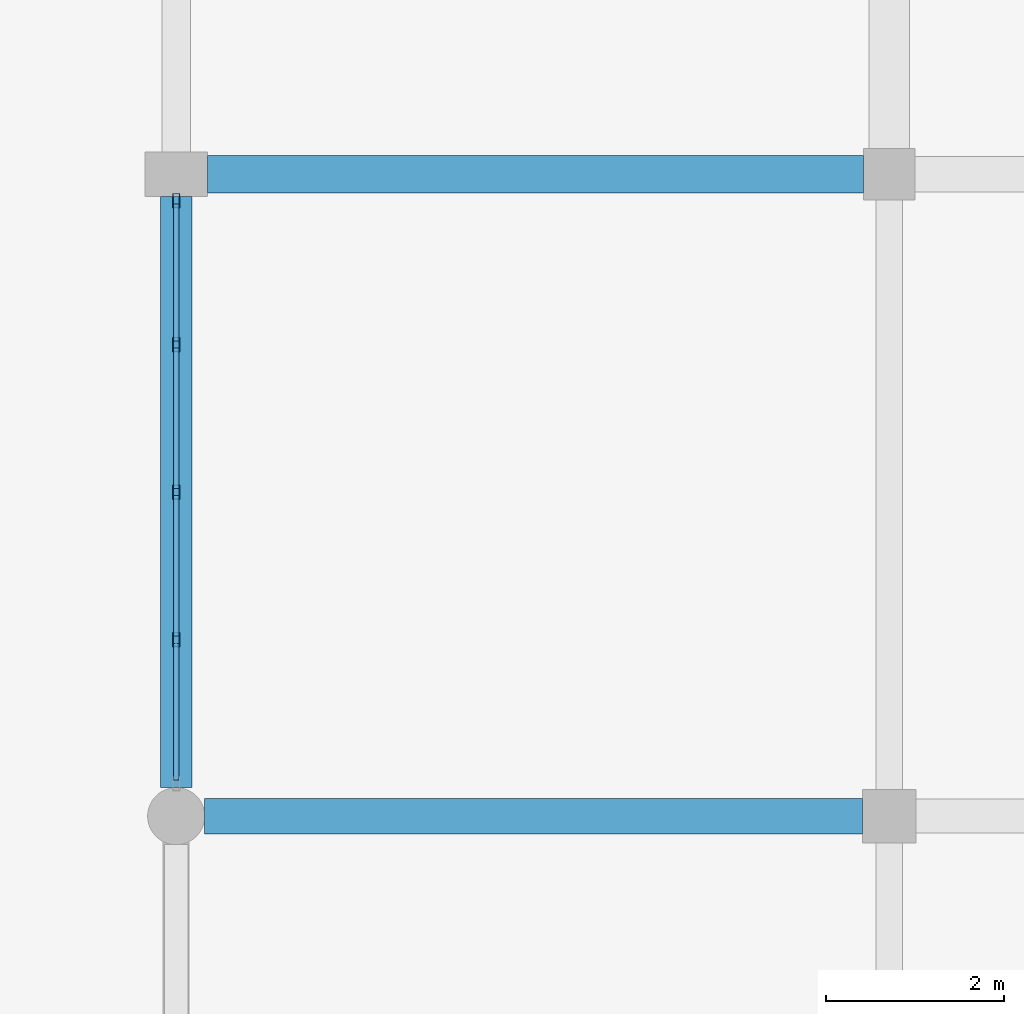
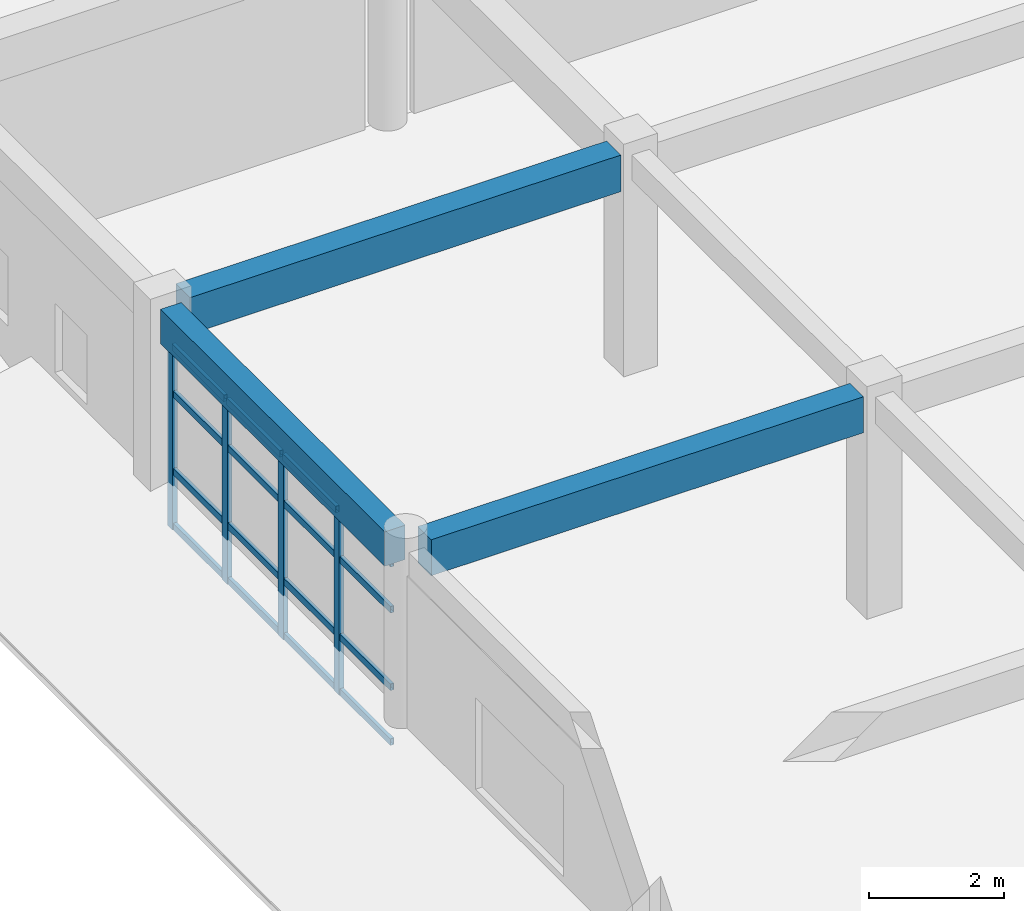
# One storey, part 77 of 121: 20 members, 3 beams, 1 element without a shape of its own.
"""IFC4 building model written with IfcOpenShell, lengths in metres."""

from ifc_helpers import new_model, si_unit, direction, frame, origin, origin_2d, place, context, subcontext, project, spatial, rectangle, hollow_rectangle, extrude, material, material_profile, profile_set, type_object, element, aggregate, save


model = new_model("IFC4")

# Units and contexts
model_context = context("Model", 3, precision=1e-05, world=origin(), true_north=direction((0.0, 1.0)))
body_context = subcontext(model_context, "Body", "Model", "MODEL_VIEW")
ifc_project = project(units=[si_unit("LENGTHUNIT", "METRE"), si_unit("AREAUNIT", "SQUARE_METRE"), si_unit("VOLUMEUNIT", "CUBIC_METRE"), si_unit("PLANEANGLEUNIT", "RADIAN"), si_unit("MASSUNIT", "GRAM", prefix="KILO")], contexts=[model_context])

# Site, building, storey
site_placement = place(None, origin())
site = spatial("IfcSite", under=ifc_project, at=site_placement, CompositionType="ELEMENT")
building_placement = place(site_placement, origin())
building = spatial("IfcBuilding", under=site, at=building_placement, Name="Kharva Crest Polytechnic", CompositionType="ELEMENT")
storey_placement = place(building_placement, frame((0.0, 0.0, 13.199951171875)))
storey = spatial("IfcBuildingStorey", under=building, at=storey_placement, Name="L03", CompositionType="ELEMENT", Elevation=13.199951171875)

# Beams
ifc_material_1 = material(Name="Concrete C35/45", Category="concrete")
ifc_material_profile_1 = material_profile(ifc_material_1, rectangle(XDim=0.39990234375, YDim=0.64990234375, at=origin_2d()), Name="RECT 400 X 650")
ifc_profile_set_1 = profile_set([ifc_material_profile_1], Name="Concrete C35/45")
beam_type_1 = type_object("IfcBeamType", Name="BM-RC-400X650", PredefinedType="BEAM", material=ifc_profile_set_1)
beam_1_placement = place(storey_placement, frame((153.1201171875, 86.0, 3.635009765625), z_axis=(1.0, 0.0, 0.0), x_axis=(0.0, 1.0, 0.0)))
element("IfcBeam", 1, at=beam_1_placement, inside=storey, type_object=beam_type_1, Name="L03 Beam M/20-21", PredefinedType="BEAM", context=body_context, shape_type="SweptSolid", body=[
    extrude(rectangle(XDim=0.39990234375, YDim=0.64990234375, at=origin_2d()), origin(), (0.0, 0.0, 1.0), 7.3798828125),
])
ifc_material_profile_2 = material_profile(ifc_material_1, rectangle(XDim=0.419921875, YDim=0.659912109375, at=origin_2d()), Name="RECT 420 X 660")
ifc_profile_set_2 = profile_set([ifc_material_profile_2], Name="Concrete C35/45")
beam_type_2 = type_object("IfcBeamType", Name="BM-RC-420X660", PredefinedType="BEAM", material=ifc_profile_set_2)
beam_2_placement = place(storey_placement, frame((153.14990234375, 93.199951171875, 3.630126953125), z_axis=(1.0, 0.0, 0.0), x_axis=(0.0, 1.0, 0.0)))
element("IfcBeam", 2, at=beam_2_placement, inside=storey, type_object=beam_type_2, Name="L03 Beam N/20-21", PredefinedType="BEAM", context=body_context, shape_type="SweptSolid", body=[
    extrude(rectangle(XDim=0.419921875, YDim=0.659912109375, at=origin_2d()), origin(), (0.0, 0.0, 1.0), 7.360107421875),
])

# Curtain wall, members
ifc_material_2 = material(Name="Tempered insulated glass", Category="glass")
curtain_wall_type = type_object("IfcCurtainWallType", Name="CW-SYS-COURT", PredefinedType="USERDEFINED", material=ifc_material_2)
curtain_wall_placement = place(storey_placement, origin())
curtain_wall = element("IfcCurtainWall", 3, at=curtain_wall_placement, inside=storey, type_object=curtain_wall_type, Name="L03 Glazed Curtain Wall CW-145", ObjectType="CURTAIN WALL", PredefinedType="USERDEFINED")
ifc_material_3 = material(Name="Steel S355", Category="steel")
ifc_material_profile_3 = material_profile(ifc_material_3, hollow_rectangle(XDim=0.080078125, YDim=0.159912109375, WallThickness=0.0048828125, at=origin_2d()), Name="RHS 160X80X5.0")
ifc_profile_set_3 = profile_set([ifc_material_profile_3], Name="Steel S355")
member_type_1 = type_object("IfcMemberType", Name="CWM-RHS160X80", PredefinedType="MULLION", material=ifc_profile_set_3)
member_1_placement = place(storey_placement, frame((152.800048828125, 92.905029296875, 0.0), z_axis=(0.0, 0.0, 1.0), x_axis=(1.0, 0.0, 0.0)))
member_1 = element("IfcMember", 4, at=member_1_placement, type_object=member_type_1, Name="CW-145 mullion 1", PredefinedType="MULLION", context=body_context, shape_type="SweptSolid", body=[
    extrude(hollow_rectangle(XDim=0.080078125, YDim=0.159912109375, WallThickness=0.0048828125, at=origin_2d()), origin(), (0.0, 0.0, 1.0), 3.340087890625),
])
member_2_placement = place(storey_placement, frame((152.800048828125, 91.2900390625, 0.0), z_axis=(0.0, 0.0, 1.0), x_axis=(1.0, 0.0, 0.0)))
member_2 = element("IfcMember", 5, at=member_2_placement, type_object=member_type_1, Name="CW-145 mullion 2", PredefinedType="MULLION", context=body_context, shape_type="SweptSolid", body=[
    extrude(hollow_rectangle(XDim=0.080078125, YDim=0.159912109375, WallThickness=0.0048828125, at=origin_2d()), origin(), (0.0, 0.0, 1.0), 3.340087890625),
])
member_3_placement = place(storey_placement, frame((152.800048828125, 89.635009765625, 0.0), z_axis=(0.0, 0.0, 1.0), x_axis=(1.0, 0.0, 0.0)))
member_3 = element("IfcMember", 6, at=member_3_placement, type_object=member_type_1, Name="CW-145 mullion 3", PredefinedType="MULLION", context=body_context, shape_type="SweptSolid", body=[
    extrude(hollow_rectangle(XDim=0.080078125, YDim=0.159912109375, WallThickness=0.0048828125, at=origin_2d()), origin(), (0.0, 0.0, 1.0), 3.340087890625),
])
member_4_placement = place(storey_placement, frame((152.800048828125, 87.97998046875, 0.0), z_axis=(0.0, 0.0, 1.0), x_axis=(1.0, 0.0, 0.0)))
member_4 = element("IfcMember", 7, at=member_4_placement, type_object=member_type_1, Name="CW-145 mullion 4", PredefinedType="MULLION", context=body_context, shape_type="SweptSolid", body=[
    extrude(hollow_rectangle(XDim=0.080078125, YDim=0.159912109375, WallThickness=0.0048828125, at=origin_2d()), origin(), (0.0, 0.0, 1.0), 3.340087890625),
])
ifc_material_profile_4 = material_profile(ifc_material_3, hollow_rectangle(XDim=0.06005859375, YDim=0.1201171875, WallThickness=0.00390625, at=origin_2d()), Name="RHS 120X60X4.0")
ifc_profile_set_4 = profile_set([ifc_material_profile_4], Name="Steel S355")
member_type_2 = type_object("IfcMemberType", Name="CWT-RHS120X60", PredefinedType="USERDEFINED", material=ifc_profile_set_4)
member_5_placement = place(storey_placement, frame((152.800048828125, 92.864990234375, 0.06005859375), z_axis=(0.0, -1.0, 0.0), x_axis=(1.0, 0.0, 0.0)))
member_5 = element("IfcMember", 8, at=member_5_placement, type_object=member_type_2, Name="CW-145 transom 1.1", ObjectType="TRANSOM", PredefinedType="USERDEFINED", context=body_context, shape_type="SweptSolid", body=[
    extrude(hollow_rectangle(XDim=0.06005859375, YDim=0.1201171875, WallThickness=0.00390625, at=origin_2d()), origin(), (0.0, 0.0, 1.0), 1.534912109375),
])
member_6_placement = place(storey_placement, frame((152.800048828125, 92.864990234375, 1.050048828125), z_axis=(0.0, -1.0, 0.0), x_axis=(1.0, 0.0, 0.0)))
member_6 = element("IfcMember", 9, at=member_6_placement, type_object=member_type_2, Name="CW-145 transom 1.2", ObjectType="TRANSOM", PredefinedType="USERDEFINED", context=body_context, shape_type="SweptSolid", body=[
    extrude(hollow_rectangle(XDim=0.06005859375, YDim=0.1201171875, WallThickness=0.00390625, at=origin_2d()), origin(), (0.0, 0.0, 1.0), 1.534912109375),
])
member_7_placement = place(storey_placement, frame((152.800048828125, 92.864990234375, 2.449951171875), z_axis=(0.0, -1.0, 0.0), x_axis=(1.0, 0.0, 0.0)))
member_7 = element("IfcMember", 10, at=member_7_placement, type_object=member_type_2, Name="CW-145 transom 1.3", ObjectType="TRANSOM", PredefinedType="USERDEFINED", context=body_context, shape_type="SweptSolid", body=[
    extrude(hollow_rectangle(XDim=0.06005859375, YDim=0.1201171875, WallThickness=0.00390625, at=origin_2d()), origin(), (0.0, 0.0, 1.0), 1.534912109375),
])
member_8_placement = place(storey_placement, frame((152.800048828125, 92.864990234375, 3.280029296875), z_axis=(0.0, -1.0, 0.0), x_axis=(1.0, 0.0, 0.0)))
member_8 = element("IfcMember", 11, at=member_8_placement, type_object=member_type_2, Name="CW-145 transom 1.4", ObjectType="TRANSOM", PredefinedType="USERDEFINED", context=body_context, shape_type="SweptSolid", body=[
    extrude(hollow_rectangle(XDim=0.06005859375, YDim=0.1201171875, WallThickness=0.00390625, at=origin_2d()), origin(), (0.0, 0.0, 1.0), 1.534912109375),
])
member_9_placement = place(storey_placement, frame((152.800048828125, 91.25, 0.06005859375), z_axis=(0.0, -1.0, 0.0), x_axis=(1.0, 0.0, 0.0)))
member_9 = element("IfcMember", 12, at=member_9_placement, type_object=member_type_2, Name="CW-145 transom 2.1", ObjectType="TRANSOM", PredefinedType="USERDEFINED", context=body_context, shape_type="SweptSolid", body=[
    extrude(hollow_rectangle(XDim=0.06005859375, YDim=0.1201171875, WallThickness=0.00390625, at=origin_2d()), origin(), (0.0, 0.0, 1.0), 1.574951171875),
])
member_10_placement = place(storey_placement, frame((152.800048828125, 91.25, 1.050048828125), z_axis=(0.0, -1.0, 0.0), x_axis=(1.0, 0.0, 0.0)))
member_10 = element("IfcMember", 13, at=member_10_placement, type_object=member_type_2, Name="CW-145 transom 2.2", ObjectType="TRANSOM", PredefinedType="USERDEFINED", context=body_context, shape_type="SweptSolid", body=[
    extrude(hollow_rectangle(XDim=0.06005859375, YDim=0.1201171875, WallThickness=0.00390625, at=origin_2d()), origin(), (0.0, 0.0, 1.0), 1.574951171875),
])
member_11_placement = place(storey_placement, frame((152.800048828125, 91.25, 2.449951171875), z_axis=(0.0, -1.0, 0.0), x_axis=(1.0, 0.0, 0.0)))
member_11 = element("IfcMember", 14, at=member_11_placement, type_object=member_type_2, Name="CW-145 transom 2.3", ObjectType="TRANSOM", PredefinedType="USERDEFINED", context=body_context, shape_type="SweptSolid", body=[
    extrude(hollow_rectangle(XDim=0.06005859375, YDim=0.1201171875, WallThickness=0.00390625, at=origin_2d()), origin(), (0.0, 0.0, 1.0), 1.574951171875),
])
member_12_placement = place(storey_placement, frame((152.800048828125, 91.25, 3.280029296875), z_axis=(0.0, -1.0, 0.0), x_axis=(1.0, 0.0, 0.0)))
member_12 = element("IfcMember", 15, at=member_12_placement, type_object=member_type_2, Name="CW-145 transom 2.4", ObjectType="TRANSOM", PredefinedType="USERDEFINED", context=body_context, shape_type="SweptSolid", body=[
    extrude(hollow_rectangle(XDim=0.06005859375, YDim=0.1201171875, WallThickness=0.00390625, at=origin_2d()), origin(), (0.0, 0.0, 1.0), 1.574951171875),
])
member_13_placement = place(storey_placement, frame((152.800048828125, 89.594970703125, 0.06005859375), z_axis=(0.0, -1.0, 0.0), x_axis=(1.0, 0.0, 0.0)))
member_13 = element("IfcMember", 16, at=member_13_placement, type_object=member_type_2, Name="CW-145 transom 3.1", ObjectType="TRANSOM", PredefinedType="USERDEFINED", context=body_context, shape_type="SweptSolid", body=[
    extrude(hollow_rectangle(XDim=0.06005859375, YDim=0.1201171875, WallThickness=0.00390625, at=origin_2d()), origin(), (0.0, 0.0, 1.0), 1.574951171875),
])
member_14_placement = place(storey_placement, frame((152.800048828125, 89.594970703125, 1.050048828125), z_axis=(0.0, -1.0, 0.0), x_axis=(1.0, 0.0, 0.0)))
member_14 = element("IfcMember", 17, at=member_14_placement, type_object=member_type_2, Name="CW-145 transom 3.2", ObjectType="TRANSOM", PredefinedType="USERDEFINED", context=body_context, shape_type="SweptSolid", body=[
    extrude(hollow_rectangle(XDim=0.06005859375, YDim=0.1201171875, WallThickness=0.00390625, at=origin_2d()), origin(), (0.0, 0.0, 1.0), 1.574951171875),
])
member_15_placement = place(storey_placement, frame((152.800048828125, 89.594970703125, 2.449951171875), z_axis=(0.0, -1.0, 0.0), x_axis=(1.0, 0.0, 0.0)))
member_15 = element("IfcMember", 18, at=member_15_placement, type_object=member_type_2, Name="CW-145 transom 3.3", ObjectType="TRANSOM", PredefinedType="USERDEFINED", context=body_context, shape_type="SweptSolid", body=[
    extrude(hollow_rectangle(XDim=0.06005859375, YDim=0.1201171875, WallThickness=0.00390625, at=origin_2d()), origin(), (0.0, 0.0, 1.0), 1.574951171875),
])
member_16_placement = place(storey_placement, frame((152.800048828125, 89.594970703125, 3.280029296875), z_axis=(0.0, -1.0, 0.0), x_axis=(1.0, 0.0, 0.0)))
member_16 = element("IfcMember", 19, at=member_16_placement, type_object=member_type_2, Name="CW-145 transom 3.4", ObjectType="TRANSOM", PredefinedType="USERDEFINED", context=body_context, shape_type="SweptSolid", body=[
    extrude(hollow_rectangle(XDim=0.06005859375, YDim=0.1201171875, WallThickness=0.00390625, at=origin_2d()), origin(), (0.0, 0.0, 1.0), 1.574951171875),
])
member_17_placement = place(storey_placement, frame((152.800048828125, 87.93994140625, 0.06005859375), z_axis=(0.0, -1.0, 0.0), x_axis=(1.0, 0.0, 0.0)))
member_17 = element("IfcMember", 20, at=member_17_placement, type_object=member_type_2, Name="CW-145 transom 4.1", ObjectType="TRANSOM", PredefinedType="USERDEFINED", context=body_context, shape_type="SweptSolid", body=[
    extrude(hollow_rectangle(XDim=0.06005859375, YDim=0.1201171875, WallThickness=0.00390625, at=origin_2d()), origin(), (0.0, 0.0, 1.0), 1.534912109375),
])
member_18_placement = place(storey_placement, frame((152.800048828125, 87.93994140625, 1.050048828125), z_axis=(0.0, -1.0, 0.0), x_axis=(1.0, 0.0, 0.0)))
member_18 = element("IfcMember", 21, at=member_18_placement, type_object=member_type_2, Name="CW-145 transom 4.2", ObjectType="TRANSOM", PredefinedType="USERDEFINED", context=body_context, shape_type="SweptSolid", body=[
    extrude(hollow_rectangle(XDim=0.06005859375, YDim=0.1201171875, WallThickness=0.00390625, at=origin_2d()), origin(), (0.0, 0.0, 1.0), 1.534912109375),
])
member_19_placement = place(storey_placement, frame((152.800048828125, 87.93994140625, 2.449951171875), z_axis=(0.0, -1.0, 0.0), x_axis=(1.0, 0.0, 0.0)))
member_19 = element("IfcMember", 22, at=member_19_placement, type_object=member_type_2, Name="CW-145 transom 4.3", ObjectType="TRANSOM", PredefinedType="USERDEFINED", context=body_context, shape_type="SweptSolid", body=[
    extrude(hollow_rectangle(XDim=0.06005859375, YDim=0.1201171875, WallThickness=0.00390625, at=origin_2d()), origin(), (0.0, 0.0, 1.0), 1.534912109375),
])
member_20_placement = place(storey_placement, frame((152.800048828125, 87.93994140625, 3.280029296875), z_axis=(0.0, -1.0, 0.0), x_axis=(1.0, 0.0, 0.0)))
member_20 = element("IfcMember", 23, at=member_20_placement, type_object=member_type_2, Name="CW-145 transom 4.4", ObjectType="TRANSOM", PredefinedType="USERDEFINED", context=body_context, shape_type="SweptSolid", body=[
    extrude(hollow_rectangle(XDim=0.06005859375, YDim=0.1201171875, WallThickness=0.00390625, at=origin_2d()), origin(), (0.0, 0.0, 1.0), 1.534912109375),
])
aggregate(curtain_wall, [member_1, member_2, member_3, member_4, member_5, member_6, member_7, member_8, member_9, member_10, member_11, member_12, member_13, member_14, member_15, member_16, member_17, member_18, member_19, member_20])

# Beam
ifc_material_profile_5 = material_profile(ifc_material_1, rectangle(XDim=0.35009765625, YDim=0.6201171875, at=origin_2d()), Name="RECT 350 X 620")
ifc_profile_set_5 = profile_set([ifc_material_profile_5], Name="Concrete C35/45")
beam_type_3 = type_object("IfcBeamType", Name="SP-RC-350X620", PredefinedType="SPANDREL", material=ifc_profile_set_5)
beam_3_placement = place(storey_placement, frame((152.800048828125, 86.320068359375, 3.650146484375), z_axis=(0.0, 1.0, 0.0), x_axis=(-1.0, 0.0, 0.0)))
element("IfcBeam", 24, at=beam_3_placement, inside=storey, type_object=beam_type_3, Name="L03 Girder 20/M-N", PredefinedType="SPANDREL", context=body_context, shape_type="SweptSolid", body=[
    extrude(rectangle(XDim=0.35009765625, YDim=0.6201171875, at=origin_2d()), origin(), (0.0, 0.0, 1.0), 6.6298828125),
])

save(model, "model.ifc")
